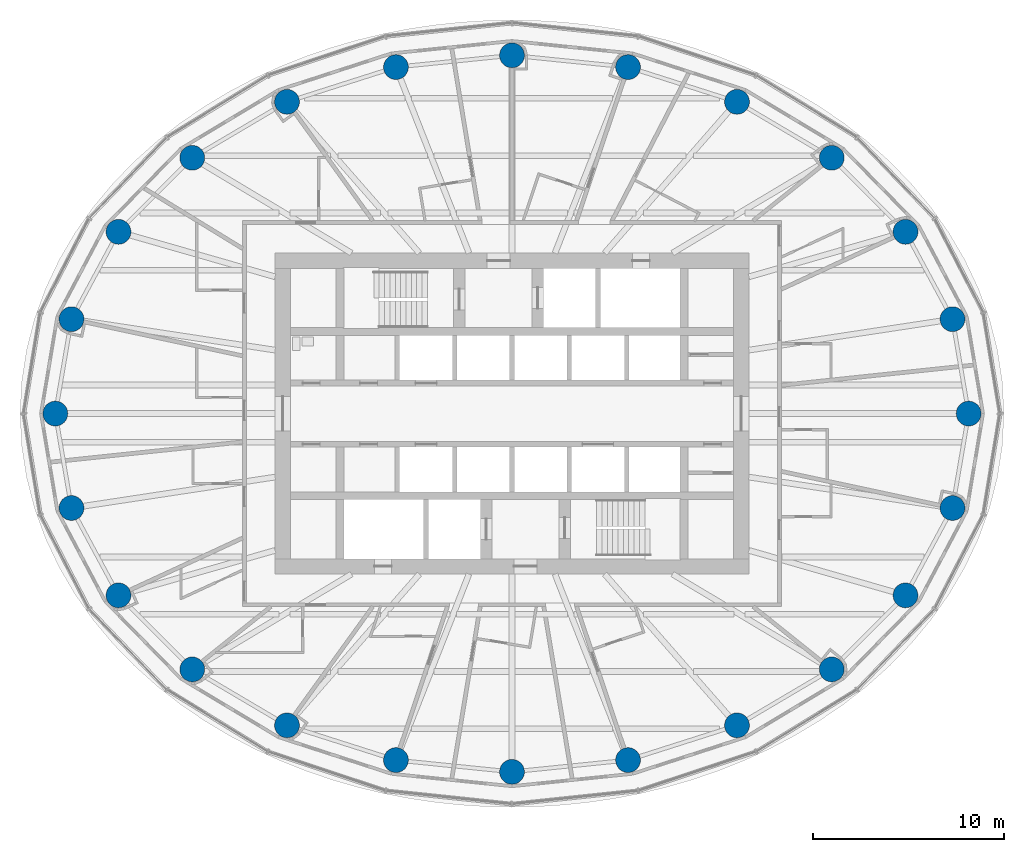
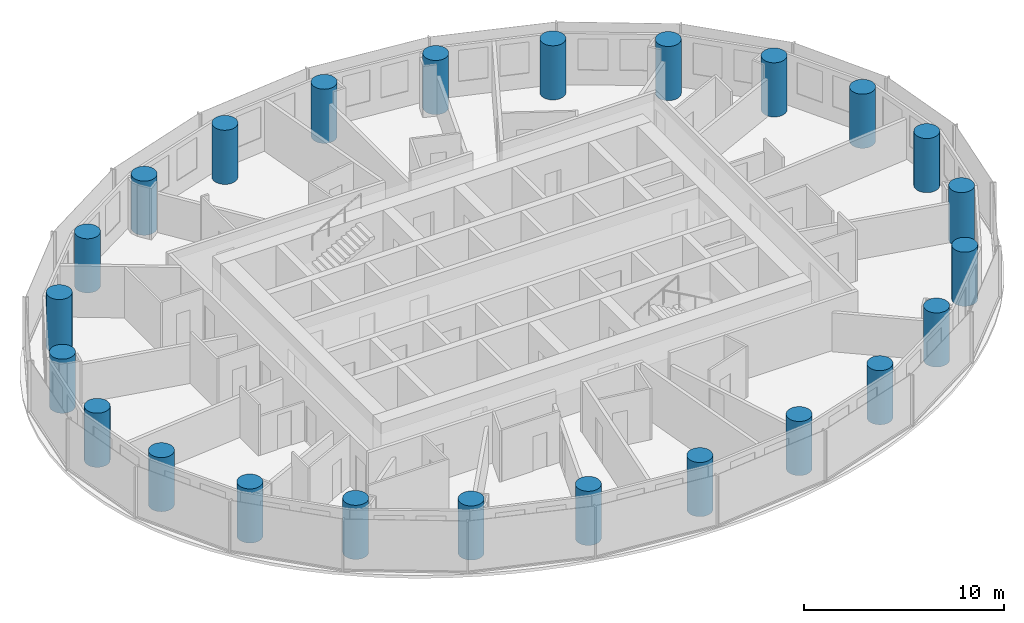
# One storey, part 1 of 14: 24 columns.
"""IFC4 building model written with IfcOpenShell, lengths in metres."""

from ifc_helpers import new_model, si_unit, direction, frame, origin, origin_2d, place, context, subcontext, project, spatial, circle, extrude, material, material_profile, profile_set, type_object, element, save


model = new_model("IFC4")

# Units and contexts
model_context = context("Model", 3, precision=1e-05, world=origin(), true_north=direction((0.0, 1.0)))
body_context = subcontext(model_context, "Body", "Model", "MODEL_VIEW")
ifc_project = project(units=[si_unit("LENGTHUNIT", "METRE"), si_unit("AREAUNIT", "SQUARE_METRE"), si_unit("VOLUMEUNIT", "CUBIC_METRE"), si_unit("PLANEANGLEUNIT", "RADIAN"), si_unit("MASSUNIT", "GRAM", prefix="KILO")], contexts=[model_context])

# Site, building, storey
site_placement = place(None, origin())
site = spatial("IfcSite", under=ifc_project, at=site_placement, CompositionType="ELEMENT")
building_placement = place(site_placement, origin())
building = spatial("IfcBuilding", under=site, at=building_placement, Name="Hankou Lantern Tower", CompositionType="ELEMENT")
storey_placement = place(building_placement, frame((0.0, 0.0, 108.89990234375)))
storey = spatial("IfcBuildingStorey", under=building, at=storey_placement, Name="L27", CompositionType="ELEMENT", Elevation=108.89990234375)

# Columns
ifc_material = material(Name="Concrete C60", Category="concrete")
ifc_material_profile = material_profile(ifc_material, circle(Radius=0.64990234375, at=origin_2d()), Name="RC D1300")
ifc_profile_set = profile_set([ifc_material_profile], Name="Concrete C60")
column_type = type_object("IfcColumnType", Name="TC3 PERIMETER COLUMN RC D1300", PredefinedType="COLUMN", material=ifc_profile_set)
for number, where, z_axis, x_axis, name in (
    (1, (23.89990234375, 0.0, 0.0), (0.0, 0.0, 1.0), (1.0, 0.0, 0.0), "Column R01 L27"),
    (2, (23.054931640625, 4.942138671875, 0.0), (0.0, 0.0, 1.0), (1.0, 0.0, 0.0), "Column R02 L27"),
    (3, (20.595703125, 9.5126953125, 0.0), (0.0, 0.0, 1.0), (1.0, 0.0, 0.0), "Column R03 L27"),
    (4, (16.73388671875, 13.38720703125, 0.0), (0.0, 0.0, 1.0), (1.0, 0.0, 0.0), "Column R04 L27"),
    (5, (11.775390625, 16.31640625, 0.0), (0.0, 0.0, 1.0), (1.0, 0.0, 0.0), "Column R05 L27"),
    (6, (6.073974609375, 18.134521484375, 0.0), (0.0, 0.0, 1.0), (1.0, 0.0, 0.0), "Column R06 L27"),
    (7, (0.0, 18.75, 0.0), (0.0, 0.0, 1.0), (1.0, 0.0, 0.0), "Column R07 L27"),
    (8, (-6.073974609375, 18.134521484375, 0.0), (0.0, 0.0, 1.0), (1.0, 0.0, 0.0), "Column R08 L27"),
    (9, (-11.775390625, 16.31640625, 0.0), (0.0, 0.0, 1.0), (1.0, 0.0, 0.0), "Column R09 L27"),
    (10, (-16.73388671875, 13.38720703125, 0.0), (0.0, 0.0, 1.0), (1.0, 0.0, 0.0), "Column R10 L27"),
    (11, (-20.595703125, 9.5126953125, 0.0), (0.0, 0.0, 1.0), (1.0, 0.0, 0.0), "Column R11 L27"),
    (12, (-23.054931640625, 4.942138671875, 0.0), (0.0, 0.0, 1.0), (1.0, 0.0, 0.0), "Column R12 L27"),
    (13, (-23.89990234375, 0.0, 0.0), (0.0, 0.0, 1.0), (1.0, 0.0, 0.0), "Column R13 L27"),
    (14, (-23.054931640625, -4.942138671875, 0.0), (0.0, 0.0, 1.0), (1.0, 0.0, 0.0), "Column R14 L27"),
    (15, (-20.595703125, -9.5126953125, 0.0), (0.0, 0.0, 1.0), (1.0, 0.0, 0.0), "Column R15 L27"),
    (16, (-16.73388671875, -13.38720703125, 0.0), (0.0, 0.0, 1.0), (1.0, 0.0, 0.0), "Column R16 L27"),
    (17, (-11.775390625, -16.31640625, 0.0), (0.0, 0.0, 1.0), (1.0, 0.0, 0.0), "Column R17 L27"),
    (18, (-6.073974609375, -18.134521484375, 0.0), (0.0, 0.0, 1.0), (1.0, 0.0, 0.0), "Column R18 L27"),
    (19, (0.0, -18.75, 0.0), (0.0, 0.0, 1.0), (1.0, 0.0, 0.0), "Column R19 L27"),
    (20, (6.073974609375, -18.134521484375, 0.0), (0.0, 0.0, 1.0), (1.0, 0.0, 0.0), "Column R20 L27"),
    (21, (11.775390625, -16.31640625, 0.0), (0.0, 0.0, 1.0), (1.0, 0.0, 0.0), "Column R21 L27"),
    (22, (16.73388671875, -13.38720703125, 0.0), (0.0, 0.0, 1.0), (1.0, 0.0, 0.0), "Column R22 L27"),
    (23, (20.595703125, -9.5126953125, 0.0), (0.0, 0.0, 1.0), (1.0, 0.0, 0.0), "Column R23 L27"),
    (24, (23.054931640625, -4.942138671875, 0.0), (0.0, 0.0, 1.0), (1.0, 0.0, 0.0), "Column R24 L27"),
):
    element("IfcColumn", number, at=place(storey_placement, frame(where, z_axis=z_axis, x_axis=x_axis)), inside=storey, type_object=column_type, Name=name, PredefinedType="COLUMN", context=body_context, shape_type="SweptSolid", body=[
        extrude(circle(Radius=0.64990234375, at=origin_2d()), origin(), (0.0, 0.0, 1.0), 3.300048828125),
    ])

save(model, "model.ifc")
